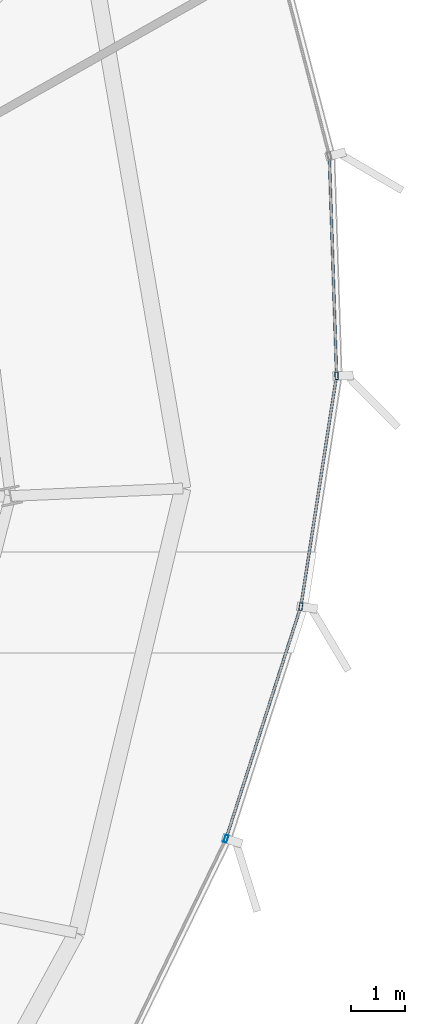
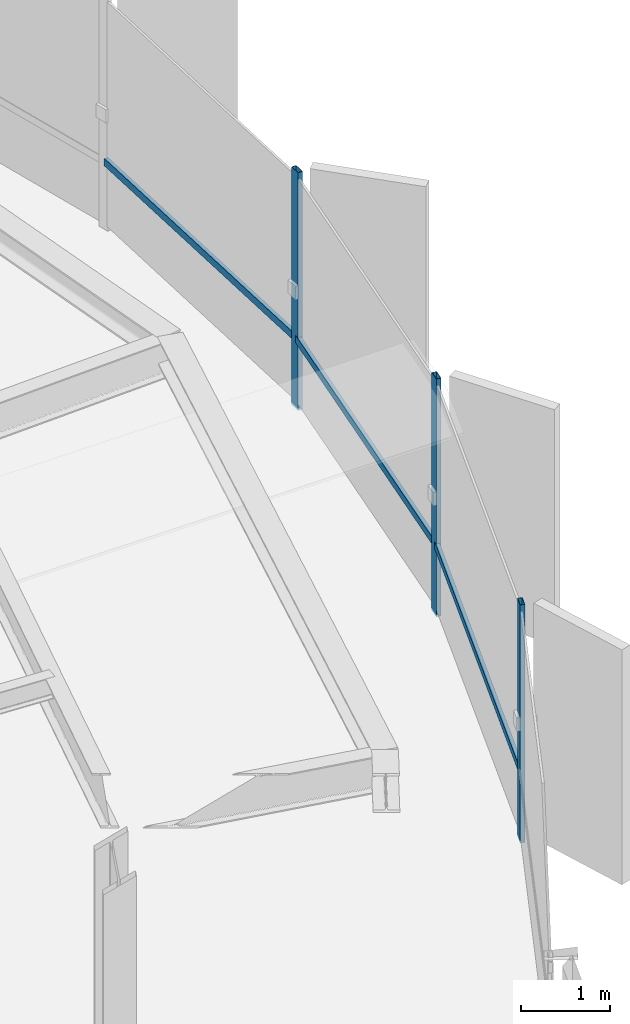
# One storey, part 19 of 34: 6 members, 1 element without a shape of its own.
"""IFC4 building model written with IfcOpenShell, lengths in metres."""

from ifc_helpers import new_model, si_unit, direction, frame, origin, origin_2d, place, context, subcontext, project, spatial, hollow_rectangle, extrude, source, transform, mapped, material, layer, layer_set, material_profile, profile_set, type_object, element, aggregate, save


model = new_model("IFC4")

# Units and contexts
model_context = context("Model", 3, precision=1e-05, world=origin(), true_north=direction((0.0, 1.0)))
body_context = subcontext(model_context, "Body", "Model", "MODEL_VIEW")
ifc_project = project(units=[si_unit("LENGTHUNIT", "METRE"), si_unit("AREAUNIT", "SQUARE_METRE"), si_unit("VOLUMEUNIT", "CUBIC_METRE"), si_unit("PLANEANGLEUNIT", "RADIAN"), si_unit("MASSUNIT", "GRAM", prefix="KILO"), si_unit("THERMODYNAMICTEMPERATUREUNIT", "KELVIN")], contexts=[model_context])

# Site, building, storey
site_placement = place(None, origin())
site = spatial("IfcSite", under=ifc_project, at=site_placement, CompositionType="ELEMENT")
building_placement = place(site_placement, origin())
building = spatial("IfcBuilding", under=site, at=building_placement, Name="Kethvar Cultural Tower", CompositionType="ELEMENT")
storey_placement = place(building_placement, frame((0.0, 0.0, 183.39990234375)))
storey = spatial("IfcBuildingStorey", under=building, at=storey_placement, Name="L47", CompositionType="ELEMENT", Elevation=183.39990234375)

# Curtain wall, members
ifc_material = material(Name="Aluminium 6063-T6", Category="aluminium")
ifc_layer = layer(ifc_material, 0.179931640625, Name="Aluminium 6063-T6", Category="aluminium")
ifc_layer_set = layer_set([ifc_layer], Name="Aluminium 6063-T6 (180 mm)")
curtain_wall_type = type_object("IfcCurtainWallType", Name="CW-SYS-04-Z34", PredefinedType="NOTDEFINED", material=ifc_layer_set)
curtain_wall_placement = place(storey_placement, origin())
curtain_wall = element("IfcCurtainWall", 1, at=curtain_wall_placement, inside=storey, type_object=curtain_wall_type, Name="L47 Curtain Wall Run 06", PredefinedType="NOTDEFINED")
ifc_material_profile_1 = material_profile(ifc_material, hollow_rectangle(XDim=0.06005859375, YDim=0.139892578125, WallThickness=0.0048828125, at=origin_2d()), Name="Aluminium 6063-T6 — RHS140x60x5")
ifc_profile_set_1 = profile_set([ifc_material_profile_1], Name="Aluminium 6063-T6 — RHS140x60x5")
member_type_1 = type_object("IfcMemberType", Name="CW-SYS-04-Z34-MUL", PredefinedType="MULLION", material=ifc_profile_set_1)
shared_shape_1 = source(origin(), body_context, "Body", "SweptSolid", [
    extrude(hollow_rectangle(XDim=0.06005859375, YDim=0.139892578125, WallThickness=0.0048828125, at=origin_2d()), origin(), (0.0, 0.0, 1.0), 3.260009765625),
])
member_1_placement = place(storey_placement, frame((70.562744140625, 25.373779296875, 0.0), z_axis=(0.0, 0.0, 1.0), x_axis=(-0.951899702874, 0.306409783897, 0.0)))
member_1 = element("IfcMember", 2, at=member_1_placement, type_object=member_type_1, Name="CW-L47-R06 Mullion 2", PredefinedType="MULLION", context=body_context, shape_type="MappedRepresentation", body=[
    mapped(shared_shape_1, transform((0.0, 0.0, 0.0), scale=1.0)),
])
member_2_placement = place(storey_placement, frame((71.95068359375, 29.680908203125, 0.0), z_axis=(0.0, 0.0, 1.0), x_axis=(-0.988279059134, 0.152658118937, 0.0)))
member_2 = element("IfcMember", 3, at=member_2_placement, type_object=member_type_1, Name="CW-L47-R06 Mullion 3", PredefinedType="MULLION", context=body_context, shape_type="MappedRepresentation", body=[
    mapped(shared_shape_1, transform((0.0, 0.0, 0.0), scale=1.0)),
])
member_3_placement = place(storey_placement, frame((72.61328125, 33.957763671875, 0.0), z_axis=(0.0, 0.0, 1.0), x_axis=(-0.999455411615, -0.032998184707, 0.0)))
member_3 = element("IfcMember", 4, at=member_3_placement, type_object=member_type_1, Name="CW-L47-R06 Mullion 4", PredefinedType="MULLION", context=body_context, shape_type="MappedRepresentation", body=[
    mapped(shared_shape_1, transform((0.0, 0.0, 0.0), scale=1.0)),
])
ifc_material_profile_2 = material_profile(ifc_material, hollow_rectangle(XDim=0.050048828125, YDim=0.10009765625, WallThickness=0.00390625, at=origin_2d()), Name="Aluminium 6063-T6 — RHS100x50x4")
ifc_profile_set_2 = profile_set([ifc_material_profile_2], Name="Aluminium 6063-T6 — RHS100x50x4")
member_type_2 = type_object("IfcMemberType", Name="CW-SYS-04-Z34-TRN", PredefinedType="USERDEFINED", material=ifc_profile_set_2)
shared_shape_2 = source(origin(), body_context, "Body", "SweptSolid", [
    extrude(hollow_rectangle(XDim=0.050048828125, YDim=0.10009765625, WallThickness=0.00390625, at=origin_2d()), origin(), (0.0, 0.0, 1.0), 4.456298828125),
])
member_4_placement = place(storey_placement, frame((70.575927734375, 25.414794921875, 0.9501953125), z_axis=(0.306415261914, 0.951897939522, 0.0), x_axis=(-0.951897939522, 0.306415261914, 0.0)))
member_4 = element("IfcMember", 5, at=member_4_placement, type_object=member_type_2, Name="CW-L47-R06 Transom 2", ObjectType="TRANSOM", PredefinedType="USERDEFINED", context=body_context, shape_type="MappedRepresentation", body=[
    mapped(shared_shape_2, transform((0.0, 0.0, 0.0), scale=1.0)),
])
shared_shape_3 = source(origin(), body_context, "Body", "SweptSolid", [
    extrude(hollow_rectangle(XDim=0.050048828125, YDim=0.10009765625, WallThickness=0.00390625, at=origin_2d()), origin(), (0.0, 0.0, 1.0), 4.261962890625),
])
member_5_placement = place(storey_placement, frame((71.957275390625, 29.7236328125, 0.9501953125), z_axis=(0.152664110031, 0.988278133679, 0.0), x_axis=(-0.988278133679, 0.152664110031, 0.0)))
member_5 = element("IfcMember", 6, at=member_5_placement, type_object=member_type_2, Name="CW-L47-R06 Transom 3", ObjectType="TRANSOM", PredefinedType="USERDEFINED", context=body_context, shape_type="MappedRepresentation", body=[
    mapped(shared_shape_3, transform((0.0, 0.0, 0.0), scale=1.0)),
])
shared_shape_4 = source(origin(), body_context, "Body", "SweptSolid", [
    extrude(hollow_rectangle(XDim=0.050048828125, YDim=0.10009765625, WallThickness=0.00390625, at=origin_2d()), origin(), (0.0, 0.0, 1.0), 4.01708984375),
])
member_6_placement = place(storey_placement, frame((72.61181640625, 34.0009765625, 0.9501953125), z_axis=(-0.033001169656, 0.999455313059, 0.0), x_axis=(-0.999455313059, -0.033001169656, 0.0)))
member_6 = element("IfcMember", 7, at=member_6_placement, type_object=member_type_2, Name="CW-L47-R06 Transom 4", ObjectType="TRANSOM", PredefinedType="USERDEFINED", context=body_context, shape_type="MappedRepresentation", body=[
    mapped(shared_shape_4, transform((0.0, 0.0, 0.0), scale=1.0)),
])
aggregate(curtain_wall, [member_1, member_2, member_3, member_4, member_5, member_6])

save(model, "model.ifc")
